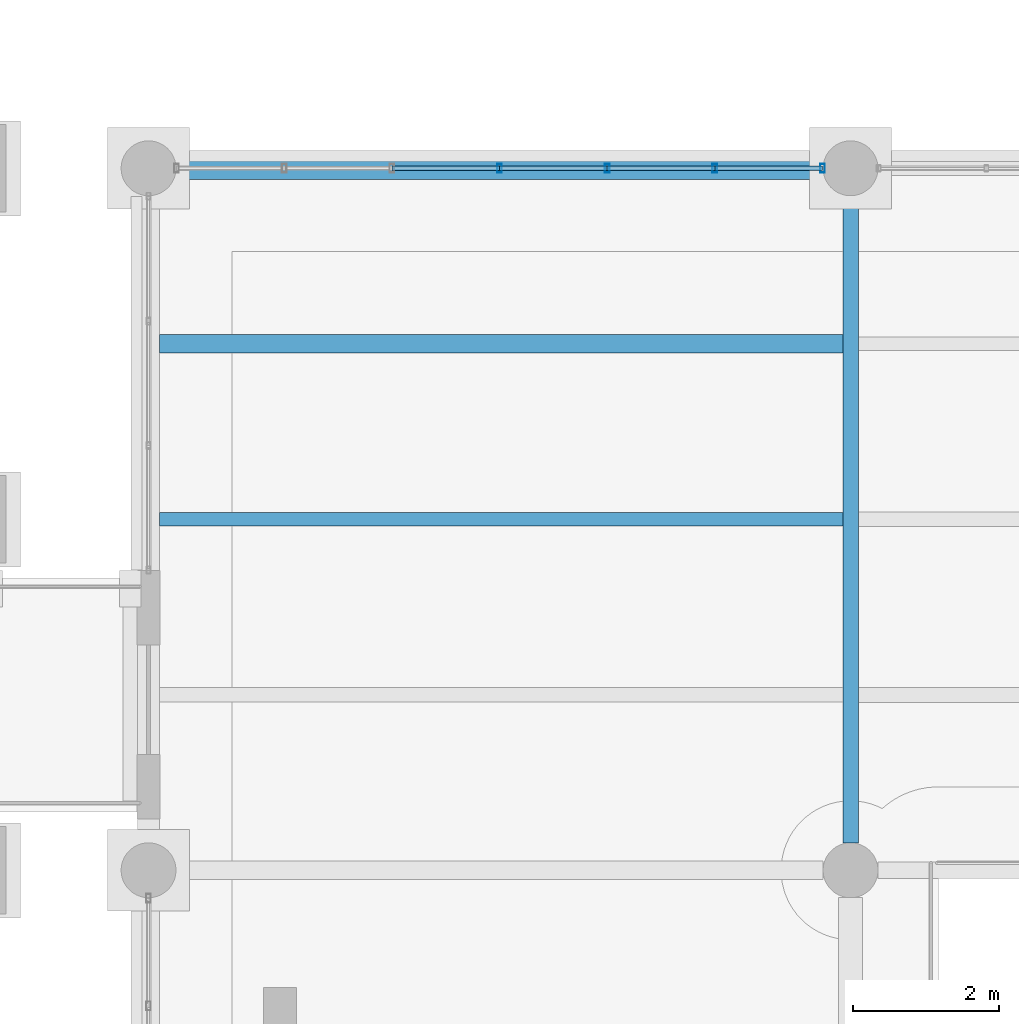
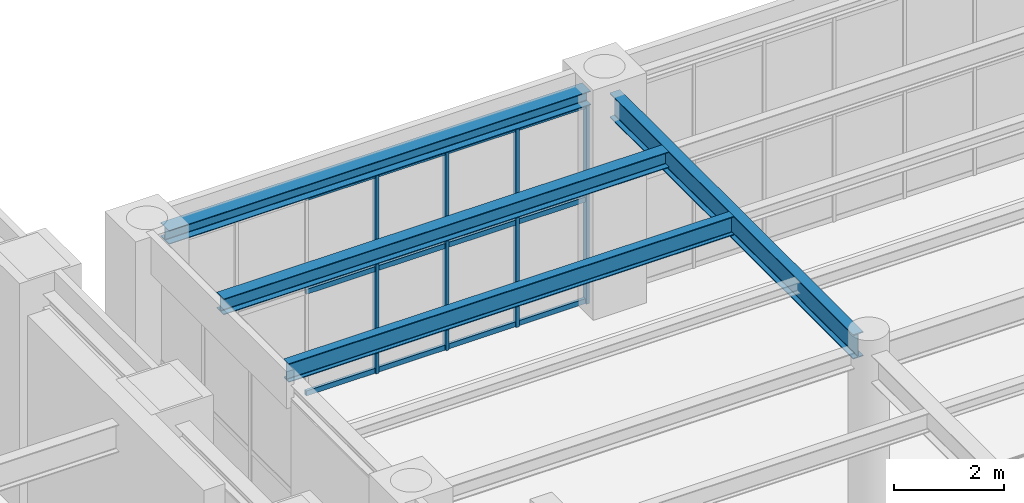
# One storey, part 65 of 174: 16 members, 4 beams, 1 element without a shape of its own.
"""IFC4 building model written with IfcOpenShell, lengths in metres."""

from ifc_helpers import new_model, si_unit, direction, frame, origin, origin_2d, place, context, subcontext, project, spatial, hollow_rectangle, i_section, extrude, material, material_profile, profile_set, type_object, element, aggregate, save


model = new_model("IFC4")

# Units and contexts
model_context = context("Model", 3, precision=1e-05, world=origin(), true_north=direction((0.0, 1.0)))
body_context = subcontext(model_context, "Body", "Model", "MODEL_VIEW")
ifc_project = project(units=[si_unit("LENGTHUNIT", "METRE"), si_unit("AREAUNIT", "SQUARE_METRE"), si_unit("VOLUMEUNIT", "CUBIC_METRE"), si_unit("PLANEANGLEUNIT", "RADIAN"), si_unit("MASSUNIT", "GRAM", prefix="KILO")], contexts=[model_context])

# Site, building, storey
site_placement = place(None, origin())
site = spatial("IfcSite", under=ifc_project, at=site_placement, CompositionType="ELEMENT")
building_placement = place(site_placement, origin())
building = spatial("IfcBuilding", under=site, at=building_placement, Name="Mavantir Sound Aquarium", CompositionType="ELEMENT")
storey_placement = place(building_placement, frame((0.0, 0.0, 5.39990234375)))
storey = spatial("IfcBuildingStorey", under=building, at=storey_placement, Name="L01", CompositionType="ELEMENT", Elevation=5.39990234375)

# Beams
ifc_material_1 = material(Name="Structural Steel ASTM A992 Gr50", Category="steel")
ifc_material_profile_1 = material_profile(ifc_material_1, i_section(OverallWidth=0.304931640625, OverallDepth=0.30810546875, WebThickness=0.010009765625, FlangeThickness=0.015380859375, FilletRadius=0.014892578125, at=origin_2d()), Name="W310X97")
ifc_profile_set_1 = profile_set([ifc_material_profile_1], Name="Structural Steel ASTM A992 Gr50")
beam_type_1 = type_object("IfcBeamType", Name="BM-W310X97-E", PredefinedType="SPANDREL", material=ifc_profile_set_1)
beam_1_placement = place(storey_placement, frame((36.375, 69.60009765625, 4.6220703125), z_axis=(1.0, 0.0, 0.0), x_axis=(0.0, 1.0, 0.0)))
element("IfcBeam", 1, at=beam_1_placement, inside=storey, type_object=beam_type_1, Name="L01 primary beam SS-31A 1191", PredefinedType="SPANDREL", context=body_context, shape_type="SweptSolid", body=[
    extrude(i_section(OverallWidth=0.304931640625, OverallDepth=0.30810546875, WebThickness=0.010009765625, FlangeThickness=0.015380859375, FilletRadius=0.014892578125, at=origin_2d()), origin(), (0.0, 0.0, 1.0), 8.85009765625),
])
ifc_material_profile_2 = material_profile(ifc_material_1, i_section(OverallWidth=0.25390625, OverallDepth=0.35302734375, WebThickness=0.009521484375, FlangeThickness=0.016357421875, FilletRadius=0.014892578125, at=origin_2d()), Name="W360X91")
ifc_profile_set_2 = profile_set([ifc_material_profile_2], Name="Structural Steel ASTM A992 Gr50")
beam_type_2 = type_object("IfcBeamType", Name="BM-W360X91-I", PredefinedType="JOIST", material=ifc_profile_set_2)
beam_2_placement = place(storey_placement, frame((36.152587890625, 67.199951171875, 4.599609375), z_axis=(1.0, 0.0, 0.0), x_axis=(0.0, 1.0, 0.0)))
element("IfcBeam", 2, at=beam_2_placement, inside=storey, type_object=beam_type_2, Name="L01 secondary floor joist SJ-36 682", PredefinedType="JOIST", context=body_context, shape_type="SweptSolid", body=[
    extrude(i_section(OverallWidth=0.25390625, OverallDepth=0.35302734375, WebThickness=0.009521484375, FlangeThickness=0.016357421875, FilletRadius=0.014892578125, at=origin_2d()), origin(), (0.0, 0.0, 1.0), 9.34130859375),
])
ifc_material_profile_3 = material_profile(ifc_material_1, i_section(OverallWidth=0.180908203125, OverallDepth=0.4169921875, WebThickness=0.010986328125, FlangeThickness=0.018310546875, FilletRadius=0.014892578125, at=origin_2d()), Name="W410X85")
ifc_profile_set_3 = profile_set([ifc_material_profile_3], Name="Structural Steel ASTM A992 Gr50")
beam_type_3 = type_object("IfcBeamType", Name="BM-W410X85-I", PredefinedType="JOIST", material=ifc_profile_set_3)
beam_3_placement = place(storey_placement, frame((36.152587890625, 64.800048828125, 4.567626953125), z_axis=(1.0, 0.0, 0.0), x_axis=(0.0, 1.0, 0.0)))
element("IfcBeam", 3, at=beam_3_placement, inside=storey, type_object=beam_type_3, Name="L01 secondary floor joist SJ-41 681", PredefinedType="JOIST", context=body_context, shape_type="SweptSolid", body=[
    extrude(i_section(OverallWidth=0.180908203125, OverallDepth=0.4169921875, WebThickness=0.010986328125, FlangeThickness=0.018310546875, FilletRadius=0.014892578125, at=origin_2d()), origin(), (0.0, 0.0, 1.0), 9.34130859375),
])
ifc_material_profile_4 = material_profile(ifc_material_1, i_section(OverallWidth=0.2119140625, OverallDepth=0.5439453125, WebThickness=0.01318359375, FlangeThickness=0.021240234375, FilletRadius=0.01806640625, at=origin_2d()), Name="W530X123")
ifc_profile_set_4 = profile_set([ifc_material_profile_4], Name="Structural Steel ASTM A992 Gr50")
beam_type_4 = type_object("IfcBeamType", Name="BM-W530X123-I", PredefinedType="BEAM", material=ifc_profile_set_4)
beam_4_placement = place(storey_placement, frame((45.60009765625, 60.375, 4.504150390625), z_axis=(0.0, 1.0, 0.0), x_axis=(-1.0, 0.0, 0.0)))
element("IfcBeam", 4, at=beam_4_placement, inside=storey, type_object=beam_type_4, Name="L01 primary girder SB-53 1199", PredefinedType="BEAM", context=body_context, shape_type="SweptSolid", body=[
    extrude(i_section(OverallWidth=0.2119140625, OverallDepth=0.5439453125, WebThickness=0.01318359375, FlangeThickness=0.021240234375, FilletRadius=0.01806640625, at=origin_2d()), origin(), (0.0, 0.0, 1.0), 8.85009765625),
])

# Curtain wall, members
ifc_material_2 = material(Name="Anodised Marine Aluminium and Low-E Glass", Category="aluminium")
curtain_wall_type = type_object("IfcCurtainWallType", Name="CW-T12", PredefinedType="USERDEFINED", material=ifc_material_2)
curtain_wall_placement = place(storey_placement, origin())
curtain_wall = element("IfcCurtainWall", 5, at=curtain_wall_placement, inside=storey, type_object=curtain_wall_type, Name="L01 unitised curtain wall CW-12 60", ObjectType="UNITISED GLAZING", PredefinedType="USERDEFINED")
ifc_material_3 = material(Name="Anodised Marine Aluminium 6063-T6", Category="aluminium")
ifc_material_profile_5 = material_profile(ifc_material_3, hollow_rectangle(XDim=0.06494140625, YDim=0.1201171875, WallThickness=0.00390625, at=origin_2d()), Name="ALU-MULLION-120X65")
ifc_profile_set_5 = profile_set([ifc_material_profile_5], Name="Anodised Marine Aluminium 6063-T6")
member_type_1 = type_object("IfcMemberType", Name="CW-MUL-120", PredefinedType="MULLION", material=ifc_profile_set_5)
member_1_placement = place(storey_placement, frame((45.217041015625, 69.60009765625, 0.0), z_axis=(0.0, 0.0, 1.0), x_axis=(1.0, 0.0, 0.0)))
member_1 = element("IfcMember", 6, at=member_1_placement, type_object=member_type_1, Name="CW-L01-060 vertical mullion 1", PredefinedType="MULLION", context=body_context, shape_type="SweptSolid", body=[
    extrude(hollow_rectangle(XDim=0.06494140625, YDim=0.1201171875, WallThickness=0.00390625, at=origin_2d()), origin(), (0.0, 0.0, 1.0), 4.43798828125),
])
member_2_placement = place(storey_placement, frame((43.74462890625, 69.60009765625, 0.0), z_axis=(0.0, 0.0, 1.0), x_axis=(1.0, 0.0, 0.0)))
member_2 = element("IfcMember", 7, at=member_2_placement, type_object=member_type_1, Name="CW-L01-060 vertical mullion 2", PredefinedType="MULLION", context=body_context, shape_type="SweptSolid", body=[
    extrude(hollow_rectangle(XDim=0.06494140625, YDim=0.1201171875, WallThickness=0.00390625, at=origin_2d()), origin(), (0.0, 0.0, 1.0), 4.43798828125),
])
member_3_placement = place(storey_placement, frame((42.272216796875, 69.60009765625, 0.0), z_axis=(0.0, 0.0, 1.0), x_axis=(1.0, 0.0, 0.0)))
member_3 = element("IfcMember", 8, at=member_3_placement, type_object=member_type_1, Name="CW-L01-060 vertical mullion 3", PredefinedType="MULLION", context=body_context, shape_type="SweptSolid", body=[
    extrude(hollow_rectangle(XDim=0.06494140625, YDim=0.1201171875, WallThickness=0.00390625, at=origin_2d()), origin(), (0.0, 0.0, 1.0), 4.43798828125),
])
member_4_placement = place(storey_placement, frame((40.800048828125, 69.60009765625, 0.0), z_axis=(0.0, 0.0, 1.0), x_axis=(1.0, 0.0, 0.0)))
member_4 = element("IfcMember", 9, at=member_4_placement, type_object=member_type_1, Name="CW-L01-060 vertical mullion 4", PredefinedType="MULLION", context=body_context, shape_type="SweptSolid", body=[
    extrude(hollow_rectangle(XDim=0.06494140625, YDim=0.1201171875, WallThickness=0.00390625, at=origin_2d()), origin(), (0.0, 0.0, 1.0), 4.43798828125),
])
ifc_material_profile_6 = material_profile(ifc_material_3, hollow_rectangle(XDim=0.06005859375, YDim=0.110107421875, WallThickness=0.00390625, at=origin_2d()), Name="ALU-TRANSOM-110X60")
ifc_profile_set_6 = profile_set([ifc_material_profile_6], Name="Anodised Marine Aluminium 6063-T6")
member_type_2 = type_object("IfcMemberType", Name="CW-TRN-110", PredefinedType="USERDEFINED", material=ifc_profile_set_6)
member_5_placement = place(storey_placement, frame((45.217041015625, 69.60009765625, 0.05517578125), z_axis=(-1.0, 0.0, 0.0), x_axis=(0.0, -1.0, 0.0)))
member_5 = element("IfcMember", 10, at=member_5_placement, type_object=member_type_2, Name="CW-L01-060 transom 1.1", ObjectType="TRANSOM", PredefinedType="USERDEFINED", context=body_context, shape_type="SweptSolid", body=[
    extrude(hollow_rectangle(XDim=0.06005859375, YDim=0.110107421875, WallThickness=0.00390625, at=origin_2d()), origin(), (0.0, 0.0, 1.0), 1.472412109375),
])
member_6_placement = place(storey_placement, frame((45.217041015625, 69.60009765625, 2.307861328125), z_axis=(-1.0, 0.0, 0.0), x_axis=(0.0, -1.0, 0.0)))
member_6 = element("IfcMember", 11, at=member_6_placement, type_object=member_type_2, Name="CW-L01-060 transom 1.2", ObjectType="TRANSOM", PredefinedType="USERDEFINED", context=body_context, shape_type="SweptSolid", body=[
    extrude(hollow_rectangle(XDim=0.06005859375, YDim=0.110107421875, WallThickness=0.00390625, at=origin_2d()), origin(), (0.0, 0.0, 1.0), 1.472412109375),
])
member_7_placement = place(storey_placement, frame((45.217041015625, 69.60009765625, 4.383056640625), z_axis=(-1.0, 0.0, 0.0), x_axis=(0.0, -1.0, 0.0)))
member_7 = element("IfcMember", 12, at=member_7_placement, type_object=member_type_2, Name="CW-L01-060 transom 1.3", ObjectType="TRANSOM", PredefinedType="USERDEFINED", context=body_context, shape_type="SweptSolid", body=[
    extrude(hollow_rectangle(XDim=0.06005859375, YDim=0.110107421875, WallThickness=0.00390625, at=origin_2d()), origin(), (0.0, 0.0, 1.0), 1.472412109375),
])
member_8_placement = place(storey_placement, frame((43.74462890625, 69.60009765625, 0.05517578125), z_axis=(-1.0, 0.0, 0.0), x_axis=(0.0, -1.0, 0.0)))
member_8 = element("IfcMember", 13, at=member_8_placement, type_object=member_type_2, Name="CW-L01-060 transom 2.1", ObjectType="TRANSOM", PredefinedType="USERDEFINED", context=body_context, shape_type="SweptSolid", body=[
    extrude(hollow_rectangle(XDim=0.06005859375, YDim=0.110107421875, WallThickness=0.00390625, at=origin_2d()), origin(), (0.0, 0.0, 1.0), 1.472412109375),
])
member_9_placement = place(storey_placement, frame((43.74462890625, 69.60009765625, 2.307861328125), z_axis=(-1.0, 0.0, 0.0), x_axis=(0.0, -1.0, 0.0)))
member_9 = element("IfcMember", 14, at=member_9_placement, type_object=member_type_2, Name="CW-L01-060 transom 2.2", ObjectType="TRANSOM", PredefinedType="USERDEFINED", context=body_context, shape_type="SweptSolid", body=[
    extrude(hollow_rectangle(XDim=0.06005859375, YDim=0.110107421875, WallThickness=0.00390625, at=origin_2d()), origin(), (0.0, 0.0, 1.0), 1.472412109375),
])
member_10_placement = place(storey_placement, frame((43.74462890625, 69.60009765625, 4.383056640625), z_axis=(-1.0, 0.0, 0.0), x_axis=(0.0, -1.0, 0.0)))
member_10 = element("IfcMember", 15, at=member_10_placement, type_object=member_type_2, Name="CW-L01-060 transom 2.3", ObjectType="TRANSOM", PredefinedType="USERDEFINED", context=body_context, shape_type="SweptSolid", body=[
    extrude(hollow_rectangle(XDim=0.06005859375, YDim=0.110107421875, WallThickness=0.00390625, at=origin_2d()), origin(), (0.0, 0.0, 1.0), 1.472412109375),
])
member_11_placement = place(storey_placement, frame((42.272216796875, 69.60009765625, 0.05517578125), z_axis=(-1.0, 0.0, 0.0), x_axis=(0.0, -1.0, 0.0)))
member_11 = element("IfcMember", 16, at=member_11_placement, type_object=member_type_2, Name="CW-L01-060 transom 3.1", ObjectType="TRANSOM", PredefinedType="USERDEFINED", context=body_context, shape_type="SweptSolid", body=[
    extrude(hollow_rectangle(XDim=0.06005859375, YDim=0.110107421875, WallThickness=0.00390625, at=origin_2d()), origin(), (0.0, 0.0, 1.0), 1.47216796875),
])
member_12_placement = place(storey_placement, frame((42.272216796875, 69.60009765625, 2.307861328125), z_axis=(-1.0, 0.0, 0.0), x_axis=(0.0, -1.0, 0.0)))
member_12 = element("IfcMember", 17, at=member_12_placement, type_object=member_type_2, Name="CW-L01-060 transom 3.2", ObjectType="TRANSOM", PredefinedType="USERDEFINED", context=body_context, shape_type="SweptSolid", body=[
    extrude(hollow_rectangle(XDim=0.06005859375, YDim=0.110107421875, WallThickness=0.00390625, at=origin_2d()), origin(), (0.0, 0.0, 1.0), 1.47216796875),
])
member_13_placement = place(storey_placement, frame((42.272216796875, 69.60009765625, 4.383056640625), z_axis=(-1.0, 0.0, 0.0), x_axis=(0.0, -1.0, 0.0)))
member_13 = element("IfcMember", 18, at=member_13_placement, type_object=member_type_2, Name="CW-L01-060 transom 3.3", ObjectType="TRANSOM", PredefinedType="USERDEFINED", context=body_context, shape_type="SweptSolid", body=[
    extrude(hollow_rectangle(XDim=0.06005859375, YDim=0.110107421875, WallThickness=0.00390625, at=origin_2d()), origin(), (0.0, 0.0, 1.0), 1.47216796875),
])
member_14_placement = place(storey_placement, frame((40.800048828125, 69.60009765625, 0.05517578125), z_axis=(-1.0, 0.0, 0.0), x_axis=(0.0, -1.0, 0.0)))
member_14 = element("IfcMember", 19, at=member_14_placement, type_object=member_type_2, Name="CW-L01-060 transom 4.1", ObjectType="TRANSOM", PredefinedType="USERDEFINED", context=body_context, shape_type="SweptSolid", body=[
    extrude(hollow_rectangle(XDim=0.06005859375, YDim=0.110107421875, WallThickness=0.00390625, at=origin_2d()), origin(), (0.0, 0.0, 1.0), 1.472412109375),
])
member_15_placement = place(storey_placement, frame((40.800048828125, 69.60009765625, 2.307861328125), z_axis=(-1.0, 0.0, 0.0), x_axis=(0.0, -1.0, 0.0)))
member_15 = element("IfcMember", 20, at=member_15_placement, type_object=member_type_2, Name="CW-L01-060 transom 4.2", ObjectType="TRANSOM", PredefinedType="USERDEFINED", context=body_context, shape_type="SweptSolid", body=[
    extrude(hollow_rectangle(XDim=0.06005859375, YDim=0.110107421875, WallThickness=0.00390625, at=origin_2d()), origin(), (0.0, 0.0, 1.0), 1.472412109375),
])
member_16_placement = place(storey_placement, frame((40.800048828125, 69.60009765625, 4.383056640625), z_axis=(-1.0, 0.0, 0.0), x_axis=(0.0, -1.0, 0.0)))
member_16 = element("IfcMember", 21, at=member_16_placement, type_object=member_type_2, Name="CW-L01-060 transom 4.3", ObjectType="TRANSOM", PredefinedType="USERDEFINED", context=body_context, shape_type="SweptSolid", body=[
    extrude(hollow_rectangle(XDim=0.06005859375, YDim=0.110107421875, WallThickness=0.00390625, at=origin_2d()), origin(), (0.0, 0.0, 1.0), 1.472412109375),
])
aggregate(curtain_wall, [member_1, member_2, member_3, member_4, member_5, member_6, member_7, member_8, member_9, member_10, member_11, member_12, member_13, member_14, member_15, member_16])

save(model, "model.ifc")
